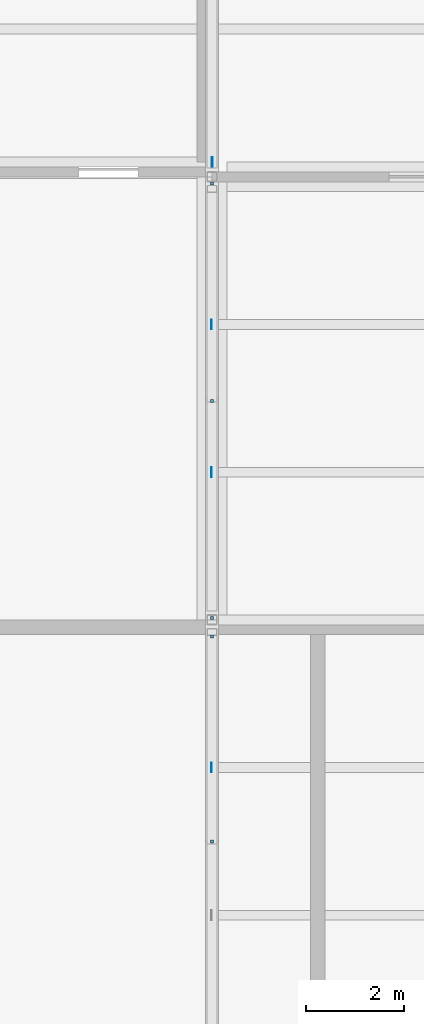
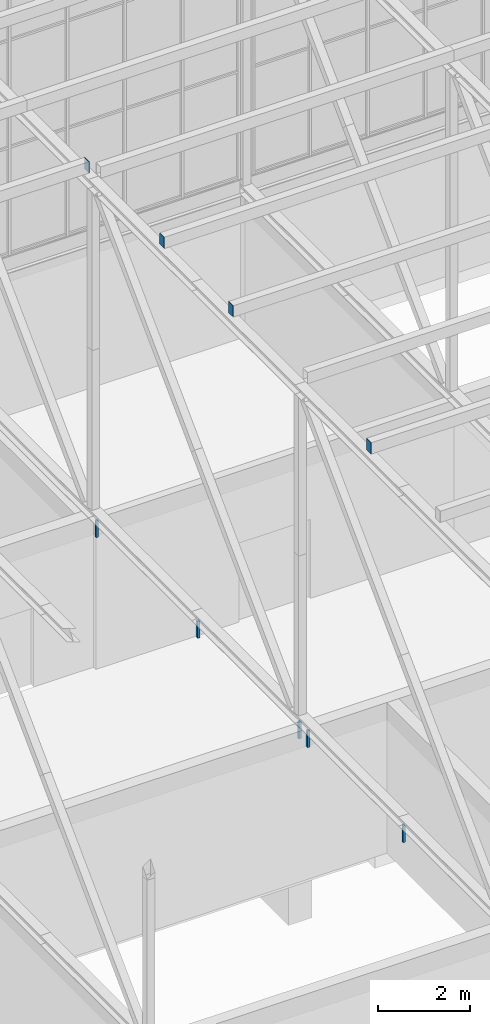
# One storey, part 225 of 646: 9 discrete accessories.
"""IFC4 building model written with IfcOpenShell, lengths in metres."""

from ifc_helpers import new_model, si_unit, direction, frame, origin, origin_2d, place, context, subcontext, project, spatial, rectangle, extrude, material, layer, layer_set, type_object, element, save


model = new_model("IFC4")

# Units and contexts
model_context = context("Model", 3, precision=1e-05, world=origin(), true_north=direction((0.0, 1.0)))
body_context = subcontext(model_context, "Body", "Model", "MODEL_VIEW")
ifc_project = project(units=[si_unit("LENGTHUNIT", "METRE"), si_unit("AREAUNIT", "SQUARE_METRE"), si_unit("VOLUMEUNIT", "CUBIC_METRE"), si_unit("PLANEANGLEUNIT", "RADIAN"), si_unit("MASSUNIT", "GRAM", prefix="KILO")], contexts=[model_context])

# Site, building, storey
site_placement = place(None, origin())
site = spatial("IfcSite", under=ifc_project, at=site_placement, CompositionType="ELEMENT")
building_placement = place(site_placement, origin())
building = spatial("IfcBuilding", under=site, at=building_placement, Name="Silverbay Arena", CompositionType="ELEMENT")
storey_placement = place(building_placement, frame((0.0, 0.0, 33.5)))
storey = spatial("IfcBuildingStorey", under=building, at=storey_placement, Name="L05", CompositionType="ELEMENT", Elevation=33.5)

# Discrete accessories
ifc_material_1 = material(Name="Steel S355", Category="steel")
discrete_accessory_type_1 = type_object("IfcDiscreteAccessoryType", Name="Ceiling hanger", PredefinedType="BRACKET", material=ifc_material_1)
for number, where, z_axis, x_axis, name in (
    (1, (180.0, 126.0400390625, 3.5498046875), (0.0, 0.0, 1.0), (1.0, 0.0, 0.0), "Ceiling hanger"),
    (2, (180.0, 130.449951171875, 3.5498046875), (0.0, 0.0, 1.0), (1.0, 0.0, 0.0), "Ceiling hanger"),
    (3, (180.0, 134.860107421875, 3.5498046875), (0.0, 0.0, 1.0), (1.0, 0.0, 0.0), "Ceiling hanger"),
    (4, (180.0, 121.5, 3.5498046875), (0.0, 0.0, 1.0), (1.0, 0.0, 0.0), "Ceiling hanger"),
    (5, (180.0, 125.659912109375, 3.5498046875), (0.0, 0.0, 1.0), (1.0, 0.0, 0.0), "Ceiling hanger"),
):
    element("IfcDiscreteAccessory", number, at=place(storey_placement, frame(where, z_axis=z_axis, x_axis=x_axis)), inside=storey, type_object=discrete_accessory_type_1, Name=name, PredefinedType="BRACKET", context=body_context, shape_type="SweptSolid", body=[
        extrude(rectangle(XDim=0.06005859375, YDim=0.06005859375, at=origin_2d()), origin(), (0.0, 0.0, 1.0), 0.449951171875),
    ])
ifc_material_2 = material(Name="Steel S355", Category="steel")
ifc_layer = layer(ifc_material_2, 0.011962890625)
ifc_layer_set = layer_set([ifc_layer], Name="Steel S355")
discrete_accessory_type_2 = type_object("IfcDiscreteAccessoryType", Name="Purlin end plate 12", PredefinedType="USERDEFINED", material=ifc_layer_set)
for number, where, z_axis, x_axis, name in (
    (6, (180.0, 123.0, 13.14990234375), (-1.0, 0.0, 0.0), (0.0, -1.0, 0.0), "Purlin end plate"),
    (7, (180.0, 129.0, 13.14990234375), (-1.0, 0.0, 0.0), (0.0, -1.0, 0.0), "Purlin end plate"),
    (8, (180.0, 132.0, 13.14990234375), (-1.0, 0.0, 0.0), (0.0, -1.0, 0.0), "Purlin end plate"),
    (9, (180.0, 135.300048828125, 13.14990234375), (1.0, 0.0, 0.0), (0.0, 1.0, 0.0), "Purlin end plate"),
):
    element("IfcDiscreteAccessory", number, at=place(storey_placement, frame(where, z_axis=z_axis, x_axis=x_axis)), inside=storey, type_object=discrete_accessory_type_2, Name=name, ObjectType="END PLATE", PredefinedType="USERDEFINED", context=body_context, shape_type="SweptSolid", body=[
        extrude(rectangle(XDim=0.199951171875, YDim=0.300048828125, at=origin_2d()), origin(), (0.0, 0.0, 1.0), 0.011962890625),
    ])

save(model, "model.ifc")
